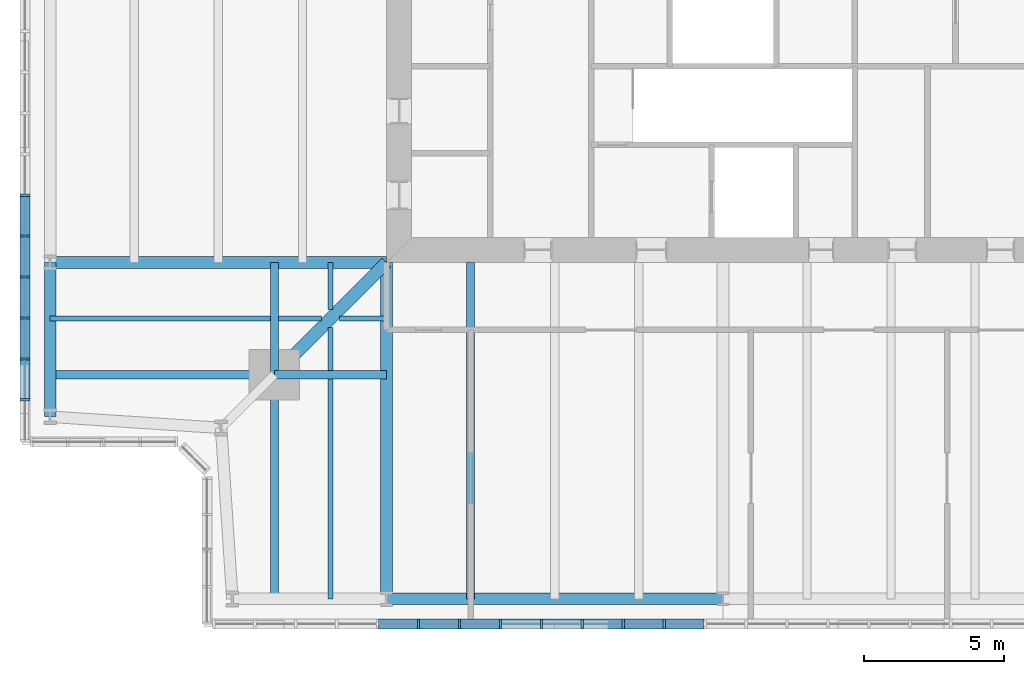
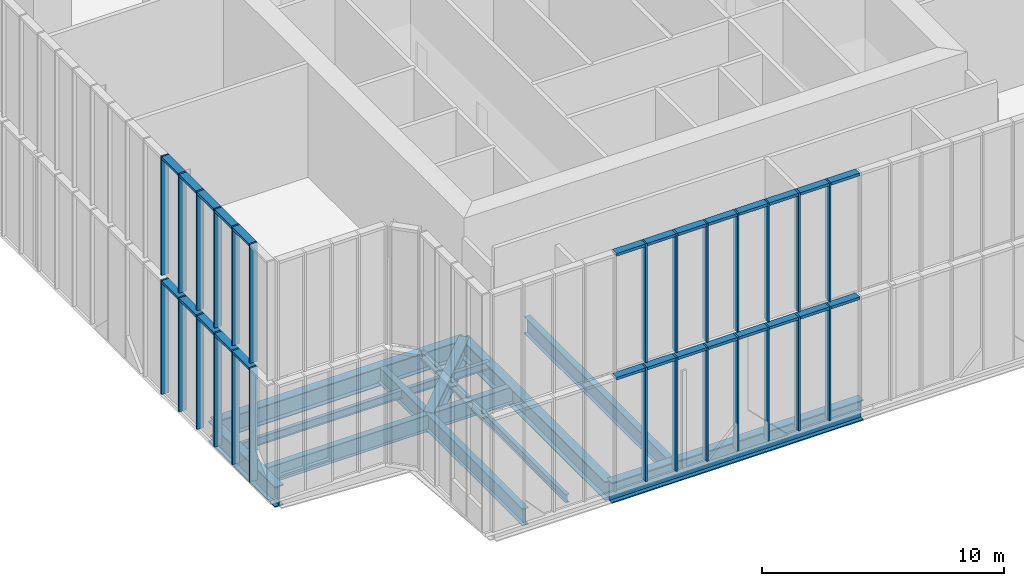
# One storey, part 3 of 25: 52 members, 16 beams, 4 elements without a shape of their own.
"""IFC4 building model written with IfcOpenShell, lengths in metres."""

from ifc_helpers import new_model, si_unit, direction, frame, origin, origin_2d, place, context, subcontext, project, spatial, rectangle, i_section, extrude, material, material_profile, profile_set, type_object, element, aggregate, save


model = new_model("IFC4")

# Units and contexts
model_context = context("Model", 3, precision=1e-05, world=origin(), true_north=direction((0.0, 1.0)))
body_context = subcontext(model_context, "Body", "Model", "MODEL_VIEW")
ifc_project = project(units=[si_unit("LENGTHUNIT", "METRE"), si_unit("AREAUNIT", "SQUARE_METRE"), si_unit("VOLUMEUNIT", "CUBIC_METRE"), si_unit("PLANEANGLEUNIT", "RADIAN"), si_unit("MASSUNIT", "GRAM", prefix="KILO")], contexts=[model_context])

# Site, building, storey
site_placement = place(None, origin())
site = spatial("IfcSite", under=ifc_project, at=site_placement, CompositionType="ELEMENT")
building_placement = place(site_placement, origin())
building = spatial("IfcBuilding", under=site, at=building_placement, Name="Fenwick Lantern Interchange", CompositionType="ELEMENT")
storey_placement = place(building_placement, frame((0.0, 0.0, 307.800048828125)))
storey = spatial("IfcBuildingStorey", under=building, at=storey_placement, Name="L74", CompositionType="ELEMENT", Elevation=307.800048828125)

# Beams
ifc_material_1 = material(Name="Steel ASTM A992 Grade 50", Category="steel")
ifc_material_profile_1 = material_profile(ifc_material_1, i_section(OverallWidth=0.408935546875, OverallDepth=1.04150390625, WebThickness=0.031005859375, FlangeThickness=0.055908203125, at=origin_2d()), Name="W40X397")
ifc_profile_set_1 = profile_set([ifc_material_profile_1], Name="Steel ASTM A992 Grade 50")
beam_type_1 = type_object("IfcBeamType", Name="EDGE BEAM W40X397", PredefinedType="SPANDREL", material=ifc_profile_set_1)
beam_1_placement = place(storey_placement, frame((13.0, 1.0, -0.720703125), z_axis=(1.0, 0.0, 0.0), x_axis=(0.0, 1.0, 0.0)))
element("IfcBeam", 1, at=beam_1_placement, inside=storey, type_object=beam_type_1, Name="L74/FR/S/EB2", PredefinedType="SPANDREL", context=body_context, shape_type="SweptSolid", body=[
    extrude(i_section(OverallWidth=0.408935546875, OverallDepth=1.04150390625, WebThickness=0.031005859375, FlangeThickness=0.055908203125, at=origin_2d()), origin(), (0.0, 0.0, 1.0), 12.0),
])
beam_2_placement = place(storey_placement, frame((1.0, 13.0, -0.720703125), z_axis=(0.0, -1.0, 0.0), x_axis=(1.0, 0.0, 0.0)))
element("IfcBeam", 2, at=beam_2_placement, inside=storey, type_object=beam_type_1, Name="L74/FR/W/EB4", PredefinedType="SPANDREL", context=body_context, shape_type="SweptSolid", body=[
    extrude(i_section(OverallWidth=0.408935546875, OverallDepth=1.04150390625, WebThickness=0.031005859375, FlangeThickness=0.055908203125, at=origin_2d()), origin(), (0.0, 0.0, 1.0), 5.5),
])
ifc_material_profile_2 = material_profile(ifc_material_1, i_section(OverallWidth=0.2919921875, OverallDepth=0.845703125, WebThickness=0.015380859375, FlangeThickness=0.0244140625, at=origin_2d()), Name="W33X141")
ifc_profile_set_2 = profile_set([ifc_material_profile_2], Name="Steel ASTM A992 Grade 50")
beam_type_2 = type_object("IfcBeamType", Name="FLOOR BEAM W33X141", PredefinedType="BEAM", material=ifc_profile_set_2)
beam_3_placement = place(storey_placement, frame((16.0, 1.0, -0.623046875), z_axis=(0.0, 1.0, 0.0), x_axis=(-1.0, 0.0, 0.0)))
element("IfcBeam", 3, at=beam_3_placement, inside=storey, type_object=beam_type_2, Name="L74/FR/S/R02", PredefinedType="BEAM", context=body_context, shape_type="SweptSolid", body=[
    extrude(i_section(OverallWidth=0.2919921875, OverallDepth=0.845703125, WebThickness=0.015380859375, FlangeThickness=0.0244140625, at=origin_2d()), origin(), (0.0, 0.0, 1.0), 12.0),
])
ifc_material_profile_3 = material_profile(ifc_material_1, i_section(OverallWidth=0.177734375, OverallDepth=0.406494140625, WebThickness=0.0078125, FlangeThickness=0.012939453125, at=origin_2d()), Name="W16X40")
ifc_profile_set_3 = profile_set([ifc_material_profile_3], Name="Steel ASTM A992 Grade 50")
beam_type_3 = type_object("IfcBeamType", Name="INFILL BEAM W16X40", PredefinedType="JOIST", material=ifc_profile_set_3)
beam_4_placement = place(storey_placement, frame((11.0, 1.0, -0.4033203125), z_axis=(0.0, 1.0, 0.0), x_axis=(-1.0, 0.0, 0.0)))
element("IfcBeam", 4, at=beam_4_placement, inside=storey, type_object=beam_type_3, Name="L74/FR/S/J1", PredefinedType="JOIST", context=body_context, shape_type="SweptSolid", body=[
    extrude(i_section(OverallWidth=0.177734375, OverallDepth=0.406494140625, WebThickness=0.0078125, FlangeThickness=0.012939453125, at=origin_2d()), origin(), (0.0, 0.0, 1.0), 7.85400390625),
])
beam_5_placement = place(storey_placement, frame((11.0, 9.14599609375, -0.4033203125), z_axis=(0.0, 1.0, 0.0), x_axis=(-1.0, 0.0, 0.0)))
element("IfcBeam", 5, at=beam_5_placement, inside=storey, type_object=beam_type_3, Name="L74/FR/S/J2", PredefinedType="JOIST", context=body_context, shape_type="SweptSolid", body=[
    extrude(i_section(OverallWidth=0.177734375, OverallDepth=0.406494140625, WebThickness=0.0078125, FlangeThickness=0.012939453125, at=origin_2d()), origin(), (0.0, 0.0, 1.0), 1.537841796875),
])
beam_6_placement = place(storey_placement, frame((11.0, 11.316162109375, -0.4033203125), z_axis=(0.0, 1.0, 0.0), x_axis=(-1.0, 0.0, 0.0)))
element("IfcBeam", 6, at=beam_6_placement, inside=storey, type_object=beam_type_3, Name="L74/FR/S/J6", PredefinedType="JOIST", context=body_context, shape_type="SweptSolid", body=[
    extrude(i_section(OverallWidth=0.177734375, OverallDepth=0.406494140625, WebThickness=0.0078125, FlangeThickness=0.012939453125, at=origin_2d()), origin(), (0.0, 0.0, 1.0), 1.683837890625),
])
beam_7_placement = place(storey_placement, frame((1.0, 11.0, -0.4033203125), z_axis=(1.0, 0.0, 0.0), x_axis=(0.0, 1.0, 0.0)))
element("IfcBeam", 7, at=beam_7_placement, inside=storey, type_object=beam_type_3, Name="L74/FR/S/J3", PredefinedType="JOIST", context=body_context, shape_type="SweptSolid", body=[
    extrude(i_section(OverallWidth=0.177734375, OverallDepth=0.406494140625, WebThickness=0.0078125, FlangeThickness=0.012939453125, at=origin_2d()), origin(), (0.0, 0.0, 1.0), 7.85400390625),
])
beam_8_placement = place(storey_placement, frame((9.14599609375, 11.0, -0.4033203125), z_axis=(1.0, 0.0, 0.0), x_axis=(0.0, 1.0, 0.0)))
element("IfcBeam", 8, at=beam_8_placement, inside=storey, type_object=beam_type_3, Name="L74/FR/S/J4", PredefinedType="JOIST", context=body_context, shape_type="SweptSolid", body=[
    extrude(i_section(OverallWidth=0.177734375, OverallDepth=0.406494140625, WebThickness=0.0078125, FlangeThickness=0.012939453125, at=origin_2d()), origin(), (0.0, 0.0, 1.0), 1.537841796875),
])
beam_9_placement = place(storey_placement, frame((11.316162109375, 11.0, -0.4033203125), z_axis=(1.0, 0.0, 0.0), x_axis=(0.0, 1.0, 0.0)))
element("IfcBeam", 9, at=beam_9_placement, inside=storey, type_object=beam_type_3, Name="L74/FR/S/J5", PredefinedType="JOIST", context=body_context, shape_type="SweptSolid", body=[
    extrude(i_section(OverallWidth=0.177734375, OverallDepth=0.406494140625, WebThickness=0.0078125, FlangeThickness=0.012939453125, at=origin_2d()), origin(), (0.0, 0.0, 1.0), 1.683837890625),
])

# Curtain wall, members
ifc_material_2 = material(Name="Aluminium curtain wall frame", Category="aluminium")
curtain_wall_type = type_object("IfcCurtainWallType", Name="LANTERN GLAZING", PredefinedType="USERDEFINED", material=ifc_material_2)
curtain_wall_1_placement = place(storey_placement, origin())
curtain_wall_1 = element("IfcCurtainWall", 10, at=curtain_wall_1_placement, inside=storey, type_object=curtain_wall_type, Name="Lantern glazing 01", ObjectType="LANTERN GLAZING", PredefinedType="USERDEFINED")
ifc_material_3 = material(Name="Aluminium extrusion", Category="aluminium")
ifc_material_profile_4 = material_profile(ifc_material_3, rectangle(XDim=0.35009765625, YDim=0.080078125, at=origin_2d()), Name="LANTERN GLAZING MULLION 80 X 350")
ifc_profile_set_4 = profile_set([ifc_material_profile_4], Name="Aluminium extrusion")
member_type_1 = type_object("IfcMemberType", Name="LANTERN GLAZING MULLION 80 X 350", PredefinedType="MULLION", material=ifc_profile_set_4)
member_1_placement = place(storey_placement, frame((14.14404296875, 0.10009765625, 0.0), z_axis=(0.0, 0.0, 1.0), x_axis=(0.0, 1.0, 0.0)))
member_1 = element("IfcMember", 11, at=member_1_placement, type_object=member_type_1, Name="L74/CW/01/M05", PredefinedType="MULLION", context=body_context, shape_type="SweptSolid", body=[
    extrude(rectangle(XDim=0.35009765625, YDim=0.080078125, at=origin_2d()), origin(), (0.0, 0.0, 1.0), 5.75),
])
member_2_placement = place(storey_placement, frame((15.604736328125, 0.10009765625, 0.0), z_axis=(0.0, 0.0, 1.0), x_axis=(0.0, 1.0, 0.0)))
member_2 = element("IfcMember", 12, at=member_2_placement, type_object=member_type_1, Name="L74/CW/01/M06", PredefinedType="MULLION", context=body_context, shape_type="SweptSolid", body=[
    extrude(rectangle(XDim=0.35009765625, YDim=0.080078125, at=origin_2d()), origin(), (0.0, 0.0, 1.0), 5.75),
])
member_3_placement = place(storey_placement, frame((17.065673828125, 0.10009765625, 0.0), z_axis=(0.0, 0.0, 1.0), x_axis=(0.0, 1.0, 0.0)))
member_3 = element("IfcMember", 13, at=member_3_placement, type_object=member_type_1, Name="L74/CW/01/M07", PredefinedType="MULLION", context=body_context, shape_type="SweptSolid", body=[
    extrude(rectangle(XDim=0.35009765625, YDim=0.080078125, at=origin_2d()), origin(), (0.0, 0.0, 1.0), 5.75),
])
member_4_placement = place(storey_placement, frame((18.5263671875, 0.10009765625, 0.0), z_axis=(0.0, 0.0, 1.0), x_axis=(0.0, 1.0, 0.0)))
member_4 = element("IfcMember", 14, at=member_4_placement, type_object=member_type_1, Name="L74/CW/01/M08", PredefinedType="MULLION", context=body_context, shape_type="SweptSolid", body=[
    extrude(rectangle(XDim=0.35009765625, YDim=0.080078125, at=origin_2d()), origin(), (0.0, 0.0, 1.0), 5.75),
])
member_5_placement = place(storey_placement, frame((19.9873046875, 0.10009765625, 0.0), z_axis=(0.0, 0.0, 1.0), x_axis=(0.0, 1.0, 0.0)))
member_5 = element("IfcMember", 15, at=member_5_placement, type_object=member_type_1, Name="L74/CW/01/M09", PredefinedType="MULLION", context=body_context, shape_type="SweptSolid", body=[
    extrude(rectangle(XDim=0.35009765625, YDim=0.080078125, at=origin_2d()), origin(), (0.0, 0.0, 1.0), 5.75),
])
member_6_placement = place(storey_placement, frame((21.447998046875, 0.10009765625, 0.0), z_axis=(0.0, 0.0, 1.0), x_axis=(0.0, 1.0, 0.0)))
member_6 = element("IfcMember", 16, at=member_6_placement, type_object=member_type_1, Name="L74/CW/01/M10", PredefinedType="MULLION", context=body_context, shape_type="SweptSolid", body=[
    extrude(rectangle(XDim=0.35009765625, YDim=0.080078125, at=origin_2d()), origin(), (0.0, 0.0, 1.0), 5.75),
])
member_7_placement = place(storey_placement, frame((22.90869140625, 0.10009765625, 0.0), z_axis=(0.0, 0.0, 1.0), x_axis=(0.0, 1.0, 0.0)))
member_7 = element("IfcMember", 17, at=member_7_placement, type_object=member_type_1, Name="L74/CW/01/M11", PredefinedType="MULLION", context=body_context, shape_type="SweptSolid", body=[
    extrude(rectangle(XDim=0.35009765625, YDim=0.080078125, at=origin_2d()), origin(), (0.0, 0.0, 1.0), 5.75),
])

curtain_wall_2_placement = place(storey_placement, origin())
curtain_wall_2 = element("IfcCurtainWall", 18, at=curtain_wall_2_placement, inside=storey, type_object=curtain_wall_type, Name="Lantern glazing 13", ObjectType="LANTERN GLAZING", PredefinedType="USERDEFINED")
member_8_placement = place(storey_placement, frame((0.10009765625, 15.40478515625, 0.0), z_axis=(0.0, 0.0, 1.0), x_axis=(1.0, 0.0, 0.0)))
member_8 = element("IfcMember", 19, at=member_8_placement, type_object=member_type_1, Name="L74/CW/13/M19", PredefinedType="MULLION", context=body_context, shape_type="SweptSolid", body=[
    extrude(rectangle(XDim=0.35009765625, YDim=0.080078125, at=origin_2d()), origin(), (0.0, 0.0, 1.0), 5.75),
])
member_9_placement = place(storey_placement, frame((0.10009765625, 13.944091796875, 0.0), z_axis=(0.0, 0.0, 1.0), x_axis=(1.0, 0.0, 0.0)))
member_9 = element("IfcMember", 20, at=member_9_placement, type_object=member_type_1, Name="L74/CW/13/M20", PredefinedType="MULLION", context=body_context, shape_type="SweptSolid", body=[
    extrude(rectangle(XDim=0.35009765625, YDim=0.080078125, at=origin_2d()), origin(), (0.0, 0.0, 1.0), 5.75),
])
member_10_placement = place(storey_placement, frame((0.10009765625, 12.483154296875, 0.0), z_axis=(0.0, 0.0, 1.0), x_axis=(1.0, 0.0, 0.0)))
member_10 = element("IfcMember", 21, at=member_10_placement, type_object=member_type_1, Name="L74/CW/13/M21", PredefinedType="MULLION", context=body_context, shape_type="SweptSolid", body=[
    extrude(rectangle(XDim=0.35009765625, YDim=0.080078125, at=origin_2d()), origin(), (0.0, 0.0, 1.0), 5.75),
])
member_11_placement = place(storey_placement, frame((0.10009765625, 11.0224609375, 0.0), z_axis=(0.0, 0.0, 1.0), x_axis=(1.0, 0.0, 0.0)))
member_11 = element("IfcMember", 22, at=member_11_placement, type_object=member_type_1, Name="L74/CW/13/M22", PredefinedType="MULLION", context=body_context, shape_type="SweptSolid", body=[
    extrude(rectangle(XDim=0.35009765625, YDim=0.080078125, at=origin_2d()), origin(), (0.0, 0.0, 1.0), 5.75),
])
member_12_placement = place(storey_placement, frame((0.10009765625, 9.5615234375, 0.0), z_axis=(0.0, 0.0, 1.0), x_axis=(1.0, 0.0, 0.0)))
member_12 = element("IfcMember", 23, at=member_12_placement, type_object=member_type_1, Name="L74/CW/13/M23", PredefinedType="MULLION", context=body_context, shape_type="SweptSolid", body=[
    extrude(rectangle(XDim=0.35009765625, YDim=0.080078125, at=origin_2d()), origin(), (0.0, 0.0, 1.0), 5.75),
])
member_13_placement = place(storey_placement, frame((0.10009765625, 8.100830078125, 0.0), z_axis=(0.0, 0.0, 1.0), x_axis=(1.0, 0.0, 0.0)))
member_13 = element("IfcMember", 24, at=member_13_placement, type_object=member_type_1, Name="L74/CW/13/M24", PredefinedType="MULLION", context=body_context, shape_type="SweptSolid", body=[
    extrude(rectangle(XDim=0.35009765625, YDim=0.080078125, at=origin_2d()), origin(), (0.0, 0.0, 1.0), 5.75),
])

curtain_wall_3_placement = place(storey_placement, origin())
curtain_wall_3 = element("IfcCurtainWall", 25, at=curtain_wall_3_placement, inside=storey, type_object=curtain_wall_type, Name="Lantern glazing 01", ObjectType="LANTERN GLAZING", PredefinedType="USERDEFINED")
member_14_placement = place(storey_placement, frame((14.14404296875, 0.10009765625, 6.0), z_axis=(0.0, 0.0, 1.0), x_axis=(0.0, 1.0, 0.0)))
member_14 = element("IfcMember", 26, at=member_14_placement, type_object=member_type_1, Name="RF/LANTERN/01/M05", PredefinedType="MULLION", context=body_context, shape_type="SweptSolid", body=[
    extrude(rectangle(XDim=0.35009765625, YDim=0.080078125, at=origin_2d()), origin(), (0.0, 0.0, 1.0), 6.0),
])
member_15_placement = place(storey_placement, frame((15.604736328125, 0.10009765625, 6.0), z_axis=(0.0, 0.0, 1.0), x_axis=(0.0, 1.0, 0.0)))
member_15 = element("IfcMember", 27, at=member_15_placement, type_object=member_type_1, Name="RF/LANTERN/01/M06", PredefinedType="MULLION", context=body_context, shape_type="SweptSolid", body=[
    extrude(rectangle(XDim=0.35009765625, YDim=0.080078125, at=origin_2d()), origin(), (0.0, 0.0, 1.0), 6.0),
])
member_16_placement = place(storey_placement, frame((17.065673828125, 0.10009765625, 6.0), z_axis=(0.0, 0.0, 1.0), x_axis=(0.0, 1.0, 0.0)))
member_16 = element("IfcMember", 28, at=member_16_placement, type_object=member_type_1, Name="RF/LANTERN/01/M07", PredefinedType="MULLION", context=body_context, shape_type="SweptSolid", body=[
    extrude(rectangle(XDim=0.35009765625, YDim=0.080078125, at=origin_2d()), origin(), (0.0, 0.0, 1.0), 6.0),
])
member_17_placement = place(storey_placement, frame((18.5263671875, 0.10009765625, 6.0), z_axis=(0.0, 0.0, 1.0), x_axis=(0.0, 1.0, 0.0)))
member_17 = element("IfcMember", 29, at=member_17_placement, type_object=member_type_1, Name="RF/LANTERN/01/M08", PredefinedType="MULLION", context=body_context, shape_type="SweptSolid", body=[
    extrude(rectangle(XDim=0.35009765625, YDim=0.080078125, at=origin_2d()), origin(), (0.0, 0.0, 1.0), 6.0),
])
member_18_placement = place(storey_placement, frame((19.9873046875, 0.10009765625, 6.0), z_axis=(0.0, 0.0, 1.0), x_axis=(0.0, 1.0, 0.0)))
member_18 = element("IfcMember", 30, at=member_18_placement, type_object=member_type_1, Name="RF/LANTERN/01/M09", PredefinedType="MULLION", context=body_context, shape_type="SweptSolid", body=[
    extrude(rectangle(XDim=0.35009765625, YDim=0.080078125, at=origin_2d()), origin(), (0.0, 0.0, 1.0), 6.0),
])
member_19_placement = place(storey_placement, frame((21.447998046875, 0.10009765625, 6.0), z_axis=(0.0, 0.0, 1.0), x_axis=(0.0, 1.0, 0.0)))
member_19 = element("IfcMember", 31, at=member_19_placement, type_object=member_type_1, Name="RF/LANTERN/01/M10", PredefinedType="MULLION", context=body_context, shape_type="SweptSolid", body=[
    extrude(rectangle(XDim=0.35009765625, YDim=0.080078125, at=origin_2d()), origin(), (0.0, 0.0, 1.0), 6.0),
])
member_20_placement = place(storey_placement, frame((22.90869140625, 0.10009765625, 6.0), z_axis=(0.0, 0.0, 1.0), x_axis=(0.0, 1.0, 0.0)))
member_20 = element("IfcMember", 32, at=member_20_placement, type_object=member_type_1, Name="RF/LANTERN/01/M11", PredefinedType="MULLION", context=body_context, shape_type="SweptSolid", body=[
    extrude(rectangle(XDim=0.35009765625, YDim=0.080078125, at=origin_2d()), origin(), (0.0, 0.0, 1.0), 6.0),
])

curtain_wall_4_placement = place(storey_placement, origin())
curtain_wall_4 = element("IfcCurtainWall", 33, at=curtain_wall_4_placement, inside=storey, type_object=curtain_wall_type, Name="Lantern glazing 13", ObjectType="LANTERN GLAZING", PredefinedType="USERDEFINED")
member_21_placement = place(storey_placement, frame((0.10009765625, 15.40478515625, 6.0), z_axis=(0.0, 0.0, 1.0), x_axis=(1.0, 0.0, 0.0)))
member_21 = element("IfcMember", 34, at=member_21_placement, type_object=member_type_1, Name="RF/LANTERN/13/M19", PredefinedType="MULLION", context=body_context, shape_type="SweptSolid", body=[
    extrude(rectangle(XDim=0.35009765625, YDim=0.080078125, at=origin_2d()), origin(), (0.0, 0.0, 1.0), 6.0),
])
member_22_placement = place(storey_placement, frame((0.10009765625, 13.944091796875, 6.0), z_axis=(0.0, 0.0, 1.0), x_axis=(1.0, 0.0, 0.0)))
member_22 = element("IfcMember", 35, at=member_22_placement, type_object=member_type_1, Name="RF/LANTERN/13/M20", PredefinedType="MULLION", context=body_context, shape_type="SweptSolid", body=[
    extrude(rectangle(XDim=0.35009765625, YDim=0.080078125, at=origin_2d()), origin(), (0.0, 0.0, 1.0), 6.0),
])
member_23_placement = place(storey_placement, frame((0.10009765625, 12.483154296875, 6.0), z_axis=(0.0, 0.0, 1.0), x_axis=(1.0, 0.0, 0.0)))
member_23 = element("IfcMember", 36, at=member_23_placement, type_object=member_type_1, Name="RF/LANTERN/13/M21", PredefinedType="MULLION", context=body_context, shape_type="SweptSolid", body=[
    extrude(rectangle(XDim=0.35009765625, YDim=0.080078125, at=origin_2d()), origin(), (0.0, 0.0, 1.0), 6.0),
])
member_24_placement = place(storey_placement, frame((0.10009765625, 11.0224609375, 6.0), z_axis=(0.0, 0.0, 1.0), x_axis=(1.0, 0.0, 0.0)))
member_24 = element("IfcMember", 37, at=member_24_placement, type_object=member_type_1, Name="RF/LANTERN/13/M22", PredefinedType="MULLION", context=body_context, shape_type="SweptSolid", body=[
    extrude(rectangle(XDim=0.35009765625, YDim=0.080078125, at=origin_2d()), origin(), (0.0, 0.0, 1.0), 6.0),
])
member_25_placement = place(storey_placement, frame((0.10009765625, 9.5615234375, 6.0), z_axis=(0.0, 0.0, 1.0), x_axis=(1.0, 0.0, 0.0)))
member_25 = element("IfcMember", 38, at=member_25_placement, type_object=member_type_1, Name="RF/LANTERN/13/M23", PredefinedType="MULLION", context=body_context, shape_type="SweptSolid", body=[
    extrude(rectangle(XDim=0.35009765625, YDim=0.080078125, at=origin_2d()), origin(), (0.0, 0.0, 1.0), 6.0),
])
member_26_placement = place(storey_placement, frame((0.10009765625, 8.100830078125, 6.0), z_axis=(0.0, 0.0, 1.0), x_axis=(1.0, 0.0, 0.0)))
member_26 = element("IfcMember", 39, at=member_26_placement, type_object=member_type_1, Name="RF/LANTERN/13/M24", PredefinedType="MULLION", context=body_context, shape_type="SweptSolid", body=[
    extrude(rectangle(XDim=0.35009765625, YDim=0.080078125, at=origin_2d()), origin(), (0.0, 0.0, 1.0), 6.0),
])

# Member
ifc_material_profile_5 = material_profile(ifc_material_3, rectangle(XDim=0.35009765625, YDim=0.139892578125, at=origin_2d()), Name="LANTERN GLAZING TRANSOM 140 X 350")
ifc_profile_set_5 = profile_set([ifc_material_profile_5], Name="Aluminium extrusion")
member_type_2 = type_object("IfcMemberType", Name="LANTERN GLAZING TRANSOM 140 X 350", PredefinedType="MULLION", material=ifc_profile_set_5)
member_27_placement = place(storey_placement, frame((12.72314453125, 0.10009765625, 5.679931640625), z_axis=(1.0, 0.0, 0.0), x_axis=(0.0, 1.0, 0.0)))
member_27 = element("IfcMember", 40, at=member_27_placement, type_object=member_type_2, Name="L74/CW/01/T04", PredefinedType="MULLION", context=body_context, shape_type="SweptSolid", body=[
    extrude(rectangle(XDim=0.35009765625, YDim=0.139892578125, at=origin_2d()), origin(), (0.0, 0.0, 1.0), 1.380859375),
])

member_28_placement = place(storey_placement, frame((14.18408203125, 0.10009765625, 5.679931640625), z_axis=(1.0, 0.0, 0.0), x_axis=(0.0, 1.0, 0.0)))
member_28 = element("IfcMember", 41, at=member_28_placement, type_object=member_type_2, Name="L74/CW/01/T05", PredefinedType="MULLION", context=body_context, shape_type="SweptSolid", body=[
    extrude(rectangle(XDim=0.35009765625, YDim=0.139892578125, at=origin_2d()), origin(), (0.0, 0.0, 1.0), 1.380615234375),
])

member_29_placement = place(storey_placement, frame((15.644775390625, 0.10009765625, 5.679931640625), z_axis=(1.0, 0.0, 0.0), x_axis=(0.0, 1.0, 0.0)))
member_29 = element("IfcMember", 42, at=member_29_placement, type_object=member_type_2, Name="L74/CW/01/T06", PredefinedType="MULLION", context=body_context, shape_type="SweptSolid", body=[
    extrude(rectangle(XDim=0.35009765625, YDim=0.139892578125, at=origin_2d()), origin(), (0.0, 0.0, 1.0), 1.380859375),
])

member_30_placement = place(storey_placement, frame((17.105712890625, 0.10009765625, 5.679931640625), z_axis=(1.0, 0.0, 0.0), x_axis=(0.0, 1.0, 0.0)))
member_30 = element("IfcMember", 43, at=member_30_placement, type_object=member_type_2, Name="L74/CW/01/T07", PredefinedType="MULLION", context=body_context, shape_type="SweptSolid", body=[
    extrude(rectangle(XDim=0.35009765625, YDim=0.139892578125, at=origin_2d()), origin(), (0.0, 0.0, 1.0), 1.380615234375),
])

member_31_placement = place(storey_placement, frame((18.56640625, 0.10009765625, 5.679931640625), z_axis=(1.0, 0.0, 0.0), x_axis=(0.0, 1.0, 0.0)))
member_31 = element("IfcMember", 44, at=member_31_placement, type_object=member_type_2, Name="L74/CW/01/T08", PredefinedType="MULLION", context=body_context, shape_type="SweptSolid", body=[
    extrude(rectangle(XDim=0.35009765625, YDim=0.139892578125, at=origin_2d()), origin(), (0.0, 0.0, 1.0), 1.380859375),
])

member_32_placement = place(storey_placement, frame((20.027099609375, 0.10009765625, 5.679931640625), z_axis=(1.0, 0.0, 0.0), x_axis=(0.0, 1.0, 0.0)))
member_32 = element("IfcMember", 45, at=member_32_placement, type_object=member_type_2, Name="L74/CW/01/T09", PredefinedType="MULLION", context=body_context, shape_type="SweptSolid", body=[
    extrude(rectangle(XDim=0.35009765625, YDim=0.139892578125, at=origin_2d()), origin(), (0.0, 0.0, 1.0), 1.380859375),
])

member_33_placement = place(storey_placement, frame((21.488037109375, 0.10009765625, 5.679931640625), z_axis=(1.0, 0.0, 0.0), x_axis=(0.0, 1.0, 0.0)))
member_33 = element("IfcMember", 46, at=member_33_placement, type_object=member_type_2, Name="L74/CW/01/T10", PredefinedType="MULLION", context=body_context, shape_type="SweptSolid", body=[
    extrude(rectangle(XDim=0.35009765625, YDim=0.139892578125, at=origin_2d()), origin(), (0.0, 0.0, 1.0), 1.380859375),
])

member_34_placement = place(storey_placement, frame((22.94873046875, 0.10009765625, 5.679931640625), z_axis=(1.0, 0.0, 0.0), x_axis=(0.0, 1.0, 0.0)))
member_34 = element("IfcMember", 47, at=member_34_placement, type_object=member_type_2, Name="L74/CW/01/T11", PredefinedType="MULLION", context=body_context, shape_type="SweptSolid", body=[
    extrude(rectangle(XDim=0.35009765625, YDim=0.139892578125, at=origin_2d()), origin(), (0.0, 0.0, 1.0), 1.380859375),
])

aggregate(curtain_wall_1, [member_1, member_2, member_3, member_4, member_5, member_6, member_7, member_27, member_28, member_29, member_30, member_31, member_32, member_33, member_34])

member_35_placement = place(storey_placement, frame((0.10009765625, 15.36474609375, 5.679931640625), z_axis=(0.0, -1.0, 0.0), x_axis=(1.0, 0.0, 0.0)))
member_35 = element("IfcMember", 48, at=member_35_placement, type_object=member_type_2, Name="L74/CW/13/T19", PredefinedType="MULLION", context=body_context, shape_type="SweptSolid", body=[
    extrude(rectangle(XDim=0.35009765625, YDim=0.139892578125, at=origin_2d()), origin(), (0.0, 0.0, 1.0), 1.380859375),
])

member_36_placement = place(storey_placement, frame((0.10009765625, 13.904052734375, 5.679931640625), z_axis=(0.0, -1.0, 0.0), x_axis=(1.0, 0.0, 0.0)))
member_36 = element("IfcMember", 49, at=member_36_placement, type_object=member_type_2, Name="L74/CW/13/T20", PredefinedType="MULLION", context=body_context, shape_type="SweptSolid", body=[
    extrude(rectangle(XDim=0.35009765625, YDim=0.139892578125, at=origin_2d()), origin(), (0.0, 0.0, 1.0), 1.380859375),
])

member_37_placement = place(storey_placement, frame((0.10009765625, 12.443115234375, 5.679931640625), z_axis=(0.0, -1.0, 0.0), x_axis=(1.0, 0.0, 0.0)))
member_37 = element("IfcMember", 50, at=member_37_placement, type_object=member_type_2, Name="L74/CW/13/T21", PredefinedType="MULLION", context=body_context, shape_type="SweptSolid", body=[
    extrude(rectangle(XDim=0.35009765625, YDim=0.139892578125, at=origin_2d()), origin(), (0.0, 0.0, 1.0), 1.380615234375),
])

member_38_placement = place(storey_placement, frame((0.10009765625, 10.982421875, 5.679931640625), z_axis=(0.0, -1.0, 0.0), x_axis=(1.0, 0.0, 0.0)))
member_38 = element("IfcMember", 51, at=member_38_placement, type_object=member_type_2, Name="L74/CW/13/T22", PredefinedType="MULLION", context=body_context, shape_type="SweptSolid", body=[
    extrude(rectangle(XDim=0.35009765625, YDim=0.139892578125, at=origin_2d()), origin(), (0.0, 0.0, 1.0), 1.380859375),
])

member_39_placement = place(storey_placement, frame((0.10009765625, 9.521484375, 5.679931640625), z_axis=(0.0, -1.0, 0.0), x_axis=(1.0, 0.0, 0.0)))
member_39 = element("IfcMember", 52, at=member_39_placement, type_object=member_type_2, Name="L74/CW/13/T23", PredefinedType="MULLION", context=body_context, shape_type="SweptSolid", body=[
    extrude(rectangle(XDim=0.35009765625, YDim=0.139892578125, at=origin_2d()), origin(), (0.0, 0.0, 1.0), 1.380615234375),
])

aggregate(curtain_wall_2, [member_8, member_9, member_10, member_11, member_12, member_13, member_35, member_36, member_37, member_38, member_39])

member_40_placement = place(storey_placement, frame((12.72314453125, 0.10009765625, 11.929931640625), z_axis=(1.0, 0.0, 0.0), x_axis=(0.0, 1.0, 0.0)))
member_40 = element("IfcMember", 53, at=member_40_placement, type_object=member_type_2, Name="RF/LANTERN/01/T04", PredefinedType="MULLION", context=body_context, shape_type="SweptSolid", body=[
    extrude(rectangle(XDim=0.35009765625, YDim=0.139892578125, at=origin_2d()), origin(), (0.0, 0.0, 1.0), 1.380859375),
])

member_41_placement = place(storey_placement, frame((14.18408203125, 0.10009765625, 11.929931640625), z_axis=(1.0, 0.0, 0.0), x_axis=(0.0, 1.0, 0.0)))
member_41 = element("IfcMember", 54, at=member_41_placement, type_object=member_type_2, Name="RF/LANTERN/01/T05", PredefinedType="MULLION", context=body_context, shape_type="SweptSolid", body=[
    extrude(rectangle(XDim=0.35009765625, YDim=0.139892578125, at=origin_2d()), origin(), (0.0, 0.0, 1.0), 1.380615234375),
])

member_42_placement = place(storey_placement, frame((15.644775390625, 0.10009765625, 11.929931640625), z_axis=(1.0, 0.0, 0.0), x_axis=(0.0, 1.0, 0.0)))
member_42 = element("IfcMember", 55, at=member_42_placement, type_object=member_type_2, Name="RF/LANTERN/01/T06", PredefinedType="MULLION", context=body_context, shape_type="SweptSolid", body=[
    extrude(rectangle(XDim=0.35009765625, YDim=0.139892578125, at=origin_2d()), origin(), (0.0, 0.0, 1.0), 1.380859375),
])

member_43_placement = place(storey_placement, frame((17.105712890625, 0.10009765625, 11.929931640625), z_axis=(1.0, 0.0, 0.0), x_axis=(0.0, 1.0, 0.0)))
member_43 = element("IfcMember", 56, at=member_43_placement, type_object=member_type_2, Name="RF/LANTERN/01/T07", PredefinedType="MULLION", context=body_context, shape_type="SweptSolid", body=[
    extrude(rectangle(XDim=0.35009765625, YDim=0.139892578125, at=origin_2d()), origin(), (0.0, 0.0, 1.0), 1.380615234375),
])

member_44_placement = place(storey_placement, frame((18.56640625, 0.10009765625, 11.929931640625), z_axis=(1.0, 0.0, 0.0), x_axis=(0.0, 1.0, 0.0)))
member_44 = element("IfcMember", 57, at=member_44_placement, type_object=member_type_2, Name="RF/LANTERN/01/T08", PredefinedType="MULLION", context=body_context, shape_type="SweptSolid", body=[
    extrude(rectangle(XDim=0.35009765625, YDim=0.139892578125, at=origin_2d()), origin(), (0.0, 0.0, 1.0), 1.380859375),
])

member_45_placement = place(storey_placement, frame((20.027099609375, 0.10009765625, 11.929931640625), z_axis=(1.0, 0.0, 0.0), x_axis=(0.0, 1.0, 0.0)))
member_45 = element("IfcMember", 58, at=member_45_placement, type_object=member_type_2, Name="RF/LANTERN/01/T09", PredefinedType="MULLION", context=body_context, shape_type="SweptSolid", body=[
    extrude(rectangle(XDim=0.35009765625, YDim=0.139892578125, at=origin_2d()), origin(), (0.0, 0.0, 1.0), 1.380859375),
])

member_46_placement = place(storey_placement, frame((21.488037109375, 0.10009765625, 11.929931640625), z_axis=(1.0, 0.0, 0.0), x_axis=(0.0, 1.0, 0.0)))
member_46 = element("IfcMember", 59, at=member_46_placement, type_object=member_type_2, Name="RF/LANTERN/01/T10", PredefinedType="MULLION", context=body_context, shape_type="SweptSolid", body=[
    extrude(rectangle(XDim=0.35009765625, YDim=0.139892578125, at=origin_2d()), origin(), (0.0, 0.0, 1.0), 1.380859375),
])

member_47_placement = place(storey_placement, frame((22.94873046875, 0.10009765625, 11.929931640625), z_axis=(1.0, 0.0, 0.0), x_axis=(0.0, 1.0, 0.0)))
member_47 = element("IfcMember", 60, at=member_47_placement, type_object=member_type_2, Name="RF/LANTERN/01/T11", PredefinedType="MULLION", context=body_context, shape_type="SweptSolid", body=[
    extrude(rectangle(XDim=0.35009765625, YDim=0.139892578125, at=origin_2d()), origin(), (0.0, 0.0, 1.0), 1.380859375),
])

aggregate(curtain_wall_3, [member_14, member_15, member_16, member_17, member_18, member_19, member_20, member_40, member_41, member_42, member_43, member_44, member_45, member_46, member_47])

member_48_placement = place(storey_placement, frame((0.10009765625, 15.36474609375, 11.929931640625), z_axis=(0.0, -1.0, 0.0), x_axis=(1.0, 0.0, 0.0)))
member_48 = element("IfcMember", 61, at=member_48_placement, type_object=member_type_2, Name="RF/LANTERN/13/T19", PredefinedType="MULLION", context=body_context, shape_type="SweptSolid", body=[
    extrude(rectangle(XDim=0.35009765625, YDim=0.139892578125, at=origin_2d()), origin(), (0.0, 0.0, 1.0), 1.380859375),
])

member_49_placement = place(storey_placement, frame((0.10009765625, 13.904052734375, 11.929931640625), z_axis=(0.0, -1.0, 0.0), x_axis=(1.0, 0.0, 0.0)))
member_49 = element("IfcMember", 62, at=member_49_placement, type_object=member_type_2, Name="RF/LANTERN/13/T20", PredefinedType="MULLION", context=body_context, shape_type="SweptSolid", body=[
    extrude(rectangle(XDim=0.35009765625, YDim=0.139892578125, at=origin_2d()), origin(), (0.0, 0.0, 1.0), 1.380859375),
])

member_50_placement = place(storey_placement, frame((0.10009765625, 12.443115234375, 11.929931640625), z_axis=(0.0, -1.0, 0.0), x_axis=(1.0, 0.0, 0.0)))
member_50 = element("IfcMember", 63, at=member_50_placement, type_object=member_type_2, Name="RF/LANTERN/13/T21", PredefinedType="MULLION", context=body_context, shape_type="SweptSolid", body=[
    extrude(rectangle(XDim=0.35009765625, YDim=0.139892578125, at=origin_2d()), origin(), (0.0, 0.0, 1.0), 1.380615234375),
])

member_51_placement = place(storey_placement, frame((0.10009765625, 10.982421875, 11.929931640625), z_axis=(0.0, -1.0, 0.0), x_axis=(1.0, 0.0, 0.0)))
member_51 = element("IfcMember", 64, at=member_51_placement, type_object=member_type_2, Name="RF/LANTERN/13/T22", PredefinedType="MULLION", context=body_context, shape_type="SweptSolid", body=[
    extrude(rectangle(XDim=0.35009765625, YDim=0.139892578125, at=origin_2d()), origin(), (0.0, 0.0, 1.0), 1.380859375),
])

member_52_placement = place(storey_placement, frame((0.10009765625, 9.521484375, 11.929931640625), z_axis=(0.0, -1.0, 0.0), x_axis=(1.0, 0.0, 0.0)))
member_52 = element("IfcMember", 65, at=member_52_placement, type_object=member_type_2, Name="RF/LANTERN/13/T23", PredefinedType="MULLION", context=body_context, shape_type="SweptSolid", body=[
    extrude(rectangle(XDim=0.35009765625, YDim=0.139892578125, at=origin_2d()), origin(), (0.0, 0.0, 1.0), 1.380615234375),
])

aggregate(curtain_wall_4, [member_21, member_22, member_23, member_24, member_25, member_26, member_48, member_49, member_50, member_51, member_52])

# Beams
ifc_material_profile_6 = material_profile(ifc_material_1, i_section(OverallWidth=0.2919921875, OverallDepth=0.845703125, WebThickness=0.015380859375, FlangeThickness=0.0244140625, at=origin_2d()), Name="W33X141")
ifc_profile_set_6 = profile_set([ifc_material_profile_6], Name="Steel ASTM A992 Grade 50")
beam_type_4 = type_object("IfcBeamType", Name="MEGA COLUMN BEAM W33X141", PredefinedType="BEAM", material=ifc_profile_set_6)
for number, where, z_axis, x_axis, name in (
    (66, (9.0, 9.0, -0.623046875), (0.0, -1.0, 0.0), (1.0, 0.0, 0.0), "L74/FR/S/MB1"),
    (67, (9.0, 9.0, -0.623046875), (-1.0, 0.0, 0.0), (0.0, -1.0, 0.0), "L74/FR/S/MB2"),
):
    element("IfcBeam", number, at=place(storey_placement, frame(where, z_axis=z_axis, x_axis=x_axis)), inside=storey, type_object=beam_type_4, Name=name, PredefinedType="BEAM", context=body_context, shape_type="SweptSolid", body=[
        extrude(i_section(OverallWidth=0.2919921875, OverallDepth=0.845703125, WebThickness=0.015380859375, FlangeThickness=0.0244140625, at=origin_2d()), origin(), (0.0, 0.0, 1.0), 8.0),
    ])
for number, where, z_axis, x_axis, name in (
    (68, (9.0, 9.0, -0.623046875), (1.0, 0.0, 0.0), (0.0, 1.0, 0.0), "L74/FR/S/MB3"),
    (69, (9.0, 9.0, -0.623046875), (0.0, 1.0, 0.0), (-1.0, 0.0, 0.0), "L74/FR/S/MB4"),
):
    element("IfcBeam", number, at=place(storey_placement, frame(where, z_axis=z_axis, x_axis=x_axis)), inside=storey, type_object=beam_type_4, Name=name, PredefinedType="BEAM", context=body_context, shape_type="SweptSolid", body=[
        extrude(i_section(OverallWidth=0.2919921875, OverallDepth=0.845703125, WebThickness=0.015380859375, FlangeThickness=0.0244140625, at=origin_2d()), origin(), (0.0, 0.0, 1.0), 4.0),
    ])
ifc_material_profile_7 = material_profile(ifc_material_1, i_section(OverallWidth=0.424072265625, OverallDepth=0.947509765625, WebThickness=0.02392578125, FlangeThickness=0.042724609375, at=origin_2d()), Name="W36X302")
ifc_profile_set_7 = profile_set([ifc_material_profile_7], Name="Steel ASTM A992 Grade 50")
beam_type_5 = type_object("IfcBeamType", Name="MOMENT-CONNECTED GIRDER W36X302", PredefinedType="BEAM", material=ifc_profile_set_7)
for number, where, z_axis, x_axis, name in (
    (70, (13.0, 1.0, -0.673828125), (0.0, 1.0, 0.0), (-1.0, 0.0, 0.0), "L74/FR/S/R01"),
    (71, (1.0, 13.0, -0.673828125), (1.0, 0.0, 0.0), (0.0, 1.0, 0.0), "L74/FR/W/R03"),
):
    element("IfcBeam", number, at=place(storey_placement, frame(where, z_axis=z_axis, x_axis=x_axis)), inside=storey, type_object=beam_type_5, Name=name, PredefinedType="BEAM", context=body_context, shape_type="SweptSolid", body=[
        extrude(i_section(OverallWidth=0.424072265625, OverallDepth=0.947509765625, WebThickness=0.02392578125, FlangeThickness=0.042724609375, at=origin_2d()), origin(), (0.0, 0.0, 1.0), 12.0),
    ])
ifc_material_profile_8 = material_profile(ifc_material_1, i_section(OverallWidth=0.447021484375, OverallDepth=1.0439453125, WebThickness=0.050048828125, FlangeThickness=0.08984375, at=origin_2d()), Name="W36X652")
ifc_profile_set_8 = profile_set([ifc_material_profile_8], Name="Steel ASTM A992 Grade 50")
beam_type_6 = type_object("IfcBeamType", Name="OUTRIGGER CHORD W36X652", PredefinedType="BEAM", material=ifc_profile_set_8)
beam_10_placement = place(storey_placement, frame((13.0, 13.0, -0.721923828125), z_axis=(-0.707106781187, -0.707106781187, 0.0), x_axis=(0.707106781187, -0.707106781187, 0.0)))
element("IfcBeam", 72, at=beam_10_placement, inside=storey, type_object=beam_type_6, Name="L74/OR/S/TC", PredefinedType="BEAM", context=body_context, shape_type="SweptSolid", body=[
    extrude(i_section(OverallWidth=0.447021484375, OverallDepth=1.0439453125, WebThickness=0.050048828125, FlangeThickness=0.08984375, at=origin_2d()), origin(), (0.0, 0.0, 1.0), 5.65673828125),
])

save(model, "model.ifc")
